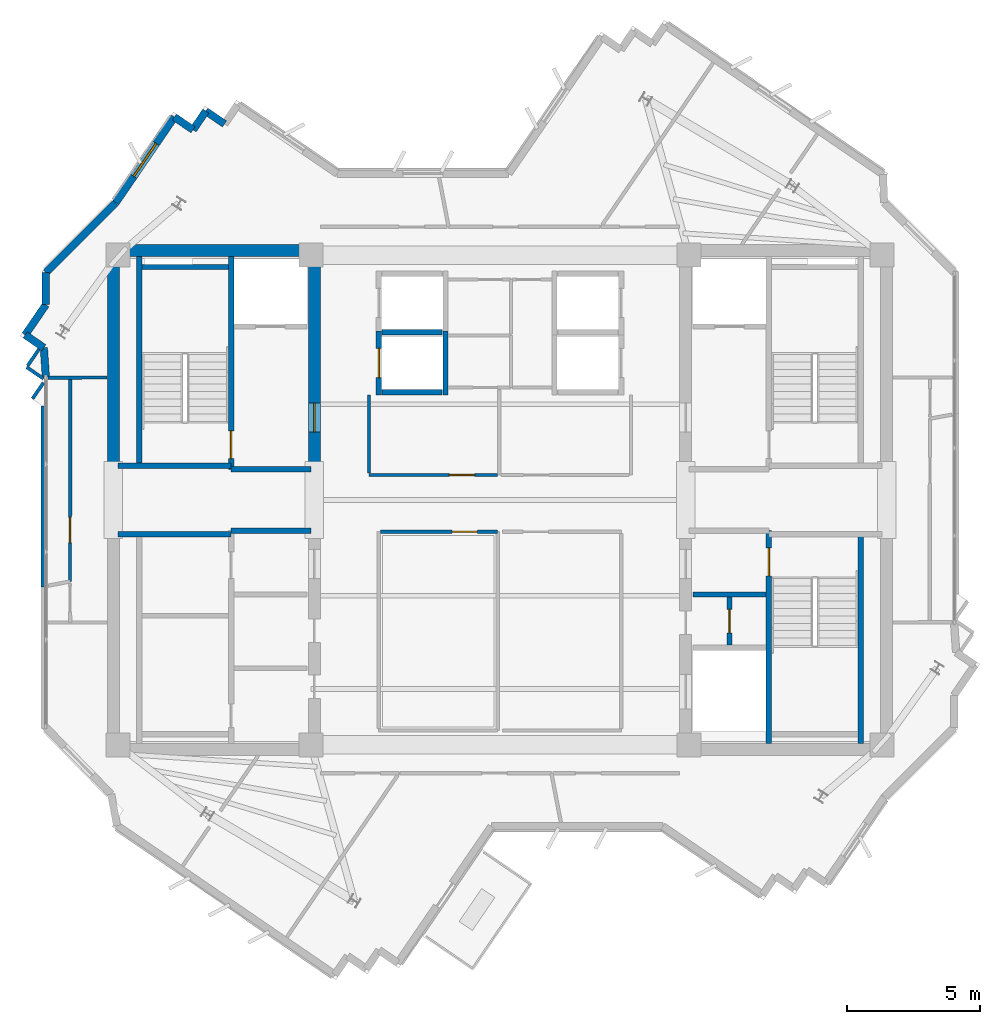
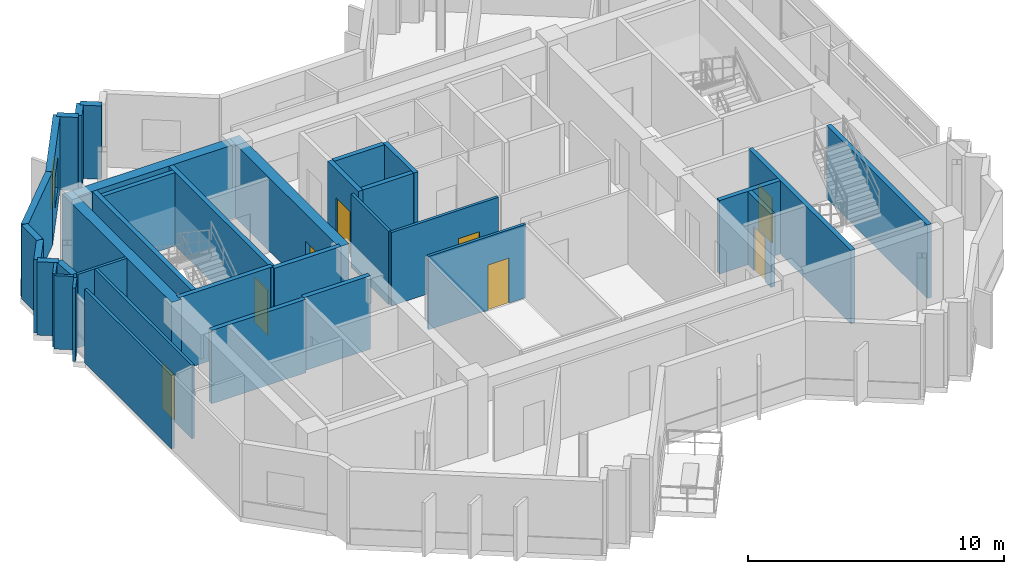
# One storey, part 6 of 11: 36 walls, 8 doors, 1 window, 9 openings.
"""IFC4 building model written with IfcOpenShell, lengths in metres."""

from ifc_helpers import new_model, si_unit, direction, frame, frame_2d, origin, place, context, subcontext, project, spatial, rectangle, extrude, source, transform, mapped, material, layer, layer_set, type_object, element, fill, save


model = new_model("IFC4")

# Units and contexts
model_context = context("Model", 3, precision=1e-05, world=origin(), true_north=direction((0.0, 1.0)))
body_context = subcontext(model_context, "Body", "Model", "MODEL_VIEW")
ifc_project = project(units=[si_unit("LENGTHUNIT", "METRE"), si_unit("AREAUNIT", "SQUARE_METRE"), si_unit("VOLUMEUNIT", "CUBIC_METRE"), si_unit("PLANEANGLEUNIT", "RADIAN"), si_unit("MASSUNIT", "GRAM", prefix="KILO")], contexts=[model_context])

# Site, building, storey
site_placement = place(None, origin())
site = spatial("IfcSite", under=ifc_project, at=site_placement, CompositionType="ELEMENT")
building_placement = place(site_placement, origin())
building = spatial("IfcBuilding", under=site, at=building_placement, Name="Zahravan Cultural Tower", CompositionType="ELEMENT")
storey_placement = place(building_placement, frame((0.0, 0.0, 334.800048828125)))
storey = spatial("IfcBuildingStorey", under=building, at=storey_placement, Name="L81", CompositionType="ELEMENT", Elevation=334.800048828125)

# Wall, opening, door
ifc_material_1 = material(Name="Concrete C50/60", Category="concrete")
ifc_layer_1 = layer(ifc_material_1, 0.449951171875)
ifc_layer_set_1 = layer_set([ifc_layer_1], Name="Concrete C50/60")
wall_type_1 = type_object("IfcWallType", Name="CW-SHEAR-450-C50", PredefinedType="SHEAR", material=ifc_layer_set_1)
wall_1_placement = place(storey_placement, frame((29.02490234375, 28.050048828125, 0.0), z_axis=(0.0, 0.0, 1.0), x_axis=(0.0, 1.0, 0.0)))
wall_1 = element("IfcWall", 1, at=wall_1_placement, inside=storey, type_object=wall_type_1, Name="L81 Core Shear Wall CW-W-EN-L81", PredefinedType="SHEAR", context=body_context, shape_type="SweptSolid", body=[
    extrude(rectangle(XDim=8.550048828125, YDim=0.449951171875, at=frame_2d((4.27490234375, 0.0))), origin(), (0.0, 0.0, 1.0), 3.5),
])
opening_1_placement = place(wall_1_placement, frame((1.5, 0.0, 0.0)))
opening_1 = element("IfcOpeningElement", 2, at=opening_1_placement, cuts=wall_1, Name="Opening D-L81-06", PredefinedType="OPENING", context=body_context, shape_type="SweptSolid", body=[
    extrude(rectangle(XDim=1.10009765625, YDim=2.199951171875, at=frame_2d((0.550048828125, 1.10009765625))), frame((0.0, 0.23486328125, 0.0), z_axis=(0.0, -1.0, 0.0), x_axis=(1.0, 0.0, 0.0)), (0.0, 0.0, 1.0), 0.469970703125),
])
ifc_material_2 = material(Name="Steel ASTM A572 Grade 50", Category="steel")
door_type_1 = type_object("IfcDoorType", Name="DR-LOBBY-1100", OperationType="NOTDEFINED", PredefinedType="DOOR", material=ifc_material_2)
shared_shape_1 = source(origin(), body_context, "Body", "SweptSolid", [
    extrude(rectangle(XDim=1.10009765625, YDim=2.199951171875, at=frame_2d((0.550048828125, 1.10009765625))), frame((0.0, 0.02490234375, 0.0), z_axis=(0.0, -1.0, 0.0), x_axis=(1.0, 0.0, 0.0)), (0.0, 0.0, 1.0), 0.050048828125),
])
door_1_placement = place(opening_1_placement, origin())
door_1 = element("IfcDoor", 3, at=door_1_placement, inside=storey, type_object=door_type_1, Name="L81 Door D-L81-06", OperationType="SINGLE_SWING_LEFT", OverallHeight=2.199951171875, OverallWidth=1.10009765625, PredefinedType="DOOR", context=body_context, shape_type="MappedRepresentation", body=[
    mapped(shared_shape_1, transform((0.0, 0.0, 0.0), x_axis=(1.0, 0.0, 0.0), y_axis=(0.0, 1.0, 0.0), z_axis=(0.0, 0.0, 1.0), scale=1.0)),
])
fill(opening_1, door_1)

# Wall, opening, window
ifc_material_3 = material(Name="Precast concrete C40/50", Category="concrete")
ifc_layer_2 = layer(ifc_material_3, 0.280029296875)
ifc_layer_set_2 = layer_set([ifc_layer_2], Name="Precast concrete C40/50")
wall_type_2 = type_object("IfcWallType", Name="EW-TC-280", PredefinedType="SOLIDWALL", material=ifc_layer_set_2)
wall_2_placement = place(storey_placement, frame((21.56298828125, 38.1650390625, 0.0), z_axis=(0.0, 0.0, 1.0), x_axis=(0.564961879511, 0.825117006672, 0.0)))
wall_2 = element("IfcWall", 4, at=wall_2_placement, inside=storey, type_object=wall_type_2, Name="L81 Exterior Masonry Frame Wall 07", PredefinedType="SOLIDWALL", context=body_context, shape_type="SweptSolid", body=[
    extrude(rectangle(XDim=3.90380859375, YDim=0.280029296875, at=frame_2d((1.951904296875, 0.0))), origin(), (0.0, 0.0, 1.0), 3.5),
])
opening_2_placement = place(wall_2_placement, frame((1.201904296875, 0.0, 0.85009765625)))
opening_2 = element("IfcOpeningElement", 5, at=opening_2_placement, cuts=wall_2, Name="Opening WN-03", PredefinedType="OPENING", context=body_context, shape_type="SweptSolid", body=[
    extrude(rectangle(XDim=1.5, YDim=1.5, at=frame_2d((0.75, 0.75))), frame((0.0, 0.14990234375, 0.0), z_axis=(0.0, -1.0, 0.0), x_axis=(1.0, 0.0, 0.0)), (0.0, 0.0, 1.0), 0.300048828125),
])
ifc_material_4 = material(Name="Low-E solar-control double glazing", Category="glass")
window_type = type_object("IfcWindowType", Name="WN-REC-1500X1500", PartitioningType="SINGLE_PANEL", PredefinedType="WINDOW", material=ifc_material_4)
shared_shape_2 = source(origin(), body_context, "Body", "SweptSolid", [
    extrude(rectangle(XDim=1.5, YDim=1.5, at=frame_2d((0.75, 0.75))), frame((0.0, 0.030029296875, 0.0), z_axis=(0.0, -1.0, 0.0), x_axis=(1.0, 0.0, 0.0)), (0.0, 0.0, 1.0), 0.06005859375),
])
window_placement = place(opening_2_placement, origin())
window = element("IfcWindow", 6, at=window_placement, inside=storey, type_object=window_type, Name="L81 Recessed Solar Window 02", OverallHeight=1.5, OverallWidth=1.5, PartitioningType="SINGLE_PANEL", PredefinedType="WINDOW", context=body_context, shape_type="MappedRepresentation", body=[
    mapped(shared_shape_2, transform((0.0, 0.0, 0.0), x_axis=(1.0, 0.0, 0.0), y_axis=(0.0, 1.0, 0.0), z_axis=(0.0, 0.0, 1.0), scale=1.0)),
])
fill(opening_2, window)

# Wall, opening, door
ifc_material_5 = material(Name="Gypsum plasterboard partition")
ifc_layer_3 = layer(ifc_material_5, 0.179931640625)
ifc_layer_set_3 = layer_set([ifc_layer_3], Name="Gypsum plasterboard partition")
wall_type_3 = type_object("IfcWallType", Name="W-COMP-180", PredefinedType="PARTITIONING", material=ifc_layer_set_3)
wall_3_placement = place(storey_placement, frame((44.6201171875, 21.550048828125, 0.0), z_axis=(0.0, 0.0, 1.0), x_axis=(0.0, 1.0, 0.0)))
wall_3 = element("IfcWall", 7, at=wall_3_placement, inside=storey, type_object=wall_type_3, Name="L81 Interior Wall 028", PredefinedType="PARTITIONING", context=body_context, shape_type="SweptSolid", body=[
    extrude(rectangle(XDim=1.800048828125, YDim=0.179931640625, at=frame_2d((0.89990234375, 0.0))), origin(), (0.0, 0.0, 1.0), 3.5),
])
opening_3_placement = place(wall_3_placement, frame((0.4599609375, 0.0, 0.0)))
opening_3 = element("IfcOpeningElement", 8, at=opening_3_placement, cuts=wall_3, Name="Opening D-L81-13", PredefinedType="OPENING", context=body_context, shape_type="SweptSolid", body=[
    extrude(rectangle(XDim=0.8798828125, YDim=2.10009765625, at=frame_2d((0.43994140625, 1.050048828125))), frame((0.0, 0.099853515625, 0.0), z_axis=(0.0, -1.0, 0.0), x_axis=(1.0, 0.0, 0.0)), (0.0, 0.0, 1.0), 0.199951171875),
])
door_type_2 = type_object("IfcDoorType", Name="DR-SVC-880", OperationType="NOTDEFINED", PredefinedType="DOOR", material=ifc_material_2)
shared_shape_3 = source(origin(), body_context, "Body", "SweptSolid", [
    extrude(rectangle(XDim=0.8798828125, YDim=2.10009765625, at=frame_2d((0.43994140625, 1.050048828125))), frame((0.0, 0.02490234375, 0.0), z_axis=(0.0, -1.0, 0.0), x_axis=(1.0, 0.0, 0.0)), (0.0, 0.0, 1.0), 0.050048828125),
])
door_2_placement = place(opening_3_placement, origin())
door_2 = element("IfcDoor", 9, at=door_2_placement, inside=storey, type_object=door_type_2, Name="L81 Door D-L81-13", OperationType="SINGLE_SWING_RIGHT", OverallHeight=2.10009765625, OverallWidth=0.8798828125, PredefinedType="DOOR", context=body_context, shape_type="MappedRepresentation", body=[
    mapped(shared_shape_3, transform((0.0, 0.0, 0.0), x_axis=(1.0, 0.0, 0.0), y_axis=(0.0, 1.0, 0.0), z_axis=(0.0, 0.0, 1.0), scale=1.0)),
])
fill(opening_3, door_2)

ifc_layer_4 = layer(ifc_material_5, 0.125)
ifc_layer_set_4 = layer_set([ifc_layer_4], Name="Gypsum plasterboard partition")
wall_type_4 = type_object("IfcWallType", Name="W-PART-125", PredefinedType="PARTITIONING", material=ifc_layer_set_4)
wall_4_placement = place(storey_placement, frame((35.902587890625, 27.93994140625, 0.0), z_axis=(0.0, 0.0, 1.0), x_axis=(-1.0, 0.0, 0.0)))
wall_4 = element("IfcWall", 10, at=wall_4_placement, inside=storey, type_object=wall_type_4, Name="L81 Interior Wall 051", PredefinedType="PARTITIONING", context=body_context, shape_type="SweptSolid", body=[
    extrude(rectangle(XDim=4.822509765625, YDim=0.125, at=frame_2d((2.4111328125, 0.0))), origin(), (0.0, 0.0, 1.0), 3.5),
])
opening_4_placement = place(wall_4_placement, frame((0.85205078125, 0.0, 0.0)))
opening_4 = element("IfcOpeningElement", 11, at=opening_4_placement, cuts=wall_4, Name="Opening D-L81-18", PredefinedType="OPENING", context=body_context, shape_type="SweptSolid", body=[
    extrude(rectangle(XDim=0.949951171875, YDim=2.14990234375, at=frame_2d((0.47509765625, 1.074951171875))), frame((0.0, 0.072509765625, 0.0), z_axis=(0.0, -1.0, 0.0), x_axis=(1.0, 0.0, 0.0)), (0.0, 0.0, 1.0), 0.14501953125),
])
ifc_material_6 = material(Name="Anodised bronze-aluminium mullion", Category="aluminium")
door_type_3 = type_object("IfcDoorType", Name="DR-ROOM-950", OperationType="NOTDEFINED", PredefinedType="DOOR", material=ifc_material_6)
shared_shape_4 = source(origin(), body_context, "Body", "SweptSolid", [
    extrude(rectangle(XDim=0.949951171875, YDim=2.14990234375, at=frame_2d((0.47509765625, 1.074951171875))), frame((0.0, 0.02490234375, 0.0), z_axis=(0.0, -1.0, 0.0), x_axis=(1.0, 0.0, 0.0)), (0.0, 0.0, 1.0), 0.050048828125),
])
door_3_placement = place(opening_4_placement, origin())
door_3 = element("IfcDoor", 12, at=door_3_placement, inside=storey, type_object=door_type_3, Name="L81 Door D-L81-18", OperationType="SINGLE_SWING_LEFT", OverallHeight=2.14990234375, OverallWidth=0.949951171875, PredefinedType="DOOR", context=body_context, shape_type="MappedRepresentation", body=[
    mapped(shared_shape_4, transform((0.0, 0.0, 0.0), x_axis=(1.0, 0.0, 0.0), y_axis=(0.0, 1.0, 0.0), z_axis=(0.0, 0.0, 1.0), scale=1.0)),
])
fill(opening_4, door_3)

wall_5_placement = place(storey_placement, frame((19.8525390625, 31.530029296875, 0.0), z_axis=(0.0, 0.0, 1.0), x_axis=(-0.000321574412, -0.999999948295, 0.0)))
wall_5 = element("IfcWall", 13, at=wall_5_placement, inside=storey, type_object=wall_type_4, Name="L81 Interior Wall 063", PredefinedType="PARTITIONING", context=body_context, shape_type="SweptSolid", body=[
    extrude(rectangle(XDim=7.592041015625, YDim=0.125, at=frame_2d((3.7958984375, 0.0))), origin(), (0.0, 0.0, 1.0), 3.5),
])
opening_5_placement = place(wall_5_placement, frame((5.180908203125, 0.0, 0.0)))
opening_5 = element("IfcOpeningElement", 14, at=opening_5_placement, cuts=wall_5, Name="Opening D-L81-24", PredefinedType="OPENING", context=body_context, shape_type="SweptSolid", body=[
    extrude(rectangle(XDim=0.949951171875, YDim=2.14990234375, at=frame_2d((0.47509765625, 1.074951171875))), frame((0.0, 0.072509765625, 0.0), z_axis=(0.0, -1.0, 0.0), x_axis=(1.0, 0.0, 0.0)), (0.0, 0.0, 1.0), 0.14501953125),
])
door_4_placement = place(opening_5_placement, origin())
door_4 = element("IfcDoor", 15, at=door_4_placement, inside=storey, type_object=door_type_3, Name="L81 Door D-L81-24", OperationType="SINGLE_SWING_LEFT", OverallHeight=2.14990234375, OverallWidth=0.949951171875, PredefinedType="DOOR", context=body_context, shape_type="MappedRepresentation", body=[
    mapped(shared_shape_4, transform((0.0, 0.0, 0.0), x_axis=(1.0, 0.0, 0.0), y_axis=(0.0, 1.0, 0.0), z_axis=(0.0, 0.0, 1.0), scale=1.0)),
])
fill(opening_5, door_4)

wall_6_placement = place(storey_placement, frame((31.507568359375, 25.81005859375, 0.0), z_axis=(0.0, 0.0, 1.0), x_axis=(1.0, 0.0, 0.0)))
wall_6 = element("IfcWall", 16, at=wall_6_placement, inside=storey, type_object=wall_type_4, Name="L81 Interior Wall 085", PredefinedType="PARTITIONING", context=body_context, shape_type="SweptSolid", body=[
    extrude(rectangle(XDim=4.40234375, YDim=0.125, at=frame_2d((2.201171875, 0.0))), origin(), (0.0, 0.0, 1.0), 3.5),
])
opening_6_placement = place(wall_6_placement, frame((2.69287109375, 0.0, 0.0)))
opening_6 = element("IfcOpeningElement", 17, at=opening_6_placement, cuts=wall_6, Name="Opening D-L81-14", PredefinedType="OPENING", context=body_context, shape_type="SweptSolid", body=[
    extrude(rectangle(XDim=0.949951171875, YDim=2.14990234375, at=frame_2d((0.47509765625, 1.074951171875))), frame((0.0, 0.072509765625, 0.0), z_axis=(0.0, -1.0, 0.0), x_axis=(1.0, 0.0, 0.0)), (0.0, 0.0, 1.0), 0.14501953125),
])
door_5_placement = place(opening_6_placement, origin())
door_5 = element("IfcDoor", 18, at=door_5_placement, inside=storey, type_object=door_type_3, Name="L81 Door D-L81-14", OperationType="SINGLE_SWING_LEFT", OverallHeight=2.14990234375, OverallWidth=0.949951171875, PredefinedType="DOOR", context=body_context, shape_type="MappedRepresentation", body=[
    mapped(shared_shape_4, transform((0.0, 0.0, 0.0), x_axis=(1.0, 0.0, 0.0), y_axis=(0.0, 1.0, 0.0), z_axis=(0.0, 0.0, 1.0), scale=1.0)),
])
fill(opening_6, door_5)

ifc_material_7 = material(Name="Concrete C45/55", Category="concrete")
ifc_layer_5 = layer(ifc_material_7, 0.199951171875)
ifc_layer_set_5 = layer_set([ifc_layer_5], Name="Concrete C45/55")
wall_type_5 = type_object("IfcWallType", Name="W-SHAFT-200", PredefinedType="SOLIDWALL", material=ifc_layer_set_5)
wall_7_placement = place(storey_placement, frame((25.89990234375, 28.14990234375, 0.0), z_axis=(0.0, 0.0, 1.0), x_axis=(0.0, 1.0, 0.0)))
wall_7 = element("IfcWall", 19, at=wall_7_placement, inside=storey, type_object=wall_type_5, Name="L81 Interior Wall 006", PredefinedType="SOLIDWALL", context=body_context, shape_type="SweptSolid", body=[
    extrude(rectangle(XDim=8.0, YDim=0.199951171875, at=frame_2d((4.0, 0.0))), origin(), (0.0, 0.0, 1.0), 3.5),
])
opening_7_placement = place(wall_7_placement, frame((0.39990234375, 0.0, 0.0)))
opening_7 = element("IfcOpeningElement", 20, at=opening_7_placement, cuts=wall_7, Name="Opening D-L81-01", PredefinedType="OPENING", context=body_context, shape_type="SweptSolid", body=[
    extrude(rectangle(XDim=1.050048828125, YDim=2.14990234375, at=frame_2d((0.52490234375, 1.074951171875))), frame((0.0, 0.10986328125, 0.0), z_axis=(0.0, -1.0, 0.0), x_axis=(1.0, 0.0, 0.0)), (0.0, 0.0, 1.0), 0.219970703125),
])
door_type_4 = type_object("IfcDoorType", Name="DR-STAIR-1050", OperationType="NOTDEFINED", PredefinedType="DOOR", material=ifc_material_2)
shared_shape_5 = source(origin(), body_context, "Body", "SweptSolid", [
    extrude(rectangle(XDim=1.050048828125, YDim=2.14990234375, at=frame_2d((0.52490234375, 1.074951171875))), frame((0.0, 0.02490234375, 0.0), z_axis=(0.0, -1.0, 0.0), x_axis=(1.0, 0.0, 0.0)), (0.0, 0.0, 1.0), 0.050048828125),
])
door_6_placement = place(opening_7_placement, origin())
door_6 = element("IfcDoor", 21, at=door_6_placement, inside=storey, type_object=door_type_4, Name="L81 Door D-L81-01", OperationType="SINGLE_SWING_RIGHT", OverallHeight=2.14990234375, OverallWidth=1.050048828125, PredefinedType="DOOR", context=body_context, shape_type="MappedRepresentation", body=[
    mapped(shared_shape_5, transform((0.0, 0.0, 0.0), x_axis=(1.0, 0.0, 0.0), y_axis=(0.0, 1.0, 0.0), z_axis=(0.0, 0.0, 1.0), scale=1.0)),
])
fill(opening_7, door_6)

wall_8_placement = place(storey_placement, frame((46.10009765625, 17.85009765625, 0.0), z_axis=(0.0, 0.0, 1.0), x_axis=(0.0, 1.0, 0.0)))
wall_8 = element("IfcWall", 22, at=wall_8_placement, inside=storey, type_object=wall_type_5, Name="L81 Interior Wall 007", PredefinedType="SOLIDWALL", context=body_context, shape_type="SweptSolid", body=[
    extrude(rectangle(XDim=8.0, YDim=0.199951171875, at=frame_2d((4.0, 0.0))), origin(), (0.0, 0.0, 1.0), 3.5),
])
opening_8_placement = place(wall_8_placement, frame((6.300048828125, 0.0, 0.0)))
opening_8 = element("IfcOpeningElement", 23, at=opening_8_placement, cuts=wall_8, Name="Opening D-L81-03", PredefinedType="OPENING", context=body_context, shape_type="SweptSolid", body=[
    extrude(rectangle(XDim=1.050048828125, YDim=2.14990234375, at=frame_2d((0.52490234375, 1.074951171875))), frame((0.0, 0.10986328125, 0.0), z_axis=(0.0, -1.0, 0.0), x_axis=(1.0, 0.0, 0.0)), (0.0, 0.0, 1.0), 0.219970703125),
])
door_7_placement = place(opening_8_placement, origin())
door_7 = element("IfcDoor", 24, at=door_7_placement, inside=storey, type_object=door_type_4, Name="L81 Door D-L81-03", OperationType="SINGLE_SWING_RIGHT", OverallHeight=2.14990234375, OverallWidth=1.050048828125, PredefinedType="DOOR", context=body_context, shape_type="MappedRepresentation", body=[
    mapped(shared_shape_5, transform((0.0, 0.0, 0.0), x_axis=(1.0, 0.0, 0.0), y_axis=(0.0, 1.0, 0.0), z_axis=(0.0, 0.0, 1.0), scale=1.0)),
])
fill(opening_8, door_7)

wall_9_placement = place(storey_placement, frame((31.449951171875, 30.949951171875, 0.0), z_axis=(0.0, 0.0, 1.0), x_axis=(0.0, 1.0, 0.0)))
wall_9 = element("IfcWall", 25, at=wall_9_placement, inside=storey, type_object=wall_type_5, Name="L81 Interior Wall 033", PredefinedType="SOLIDWALL", context=body_context, shape_type="SweptSolid", body=[
    extrude(rectangle(XDim=2.400146484375, YDim=0.199951171875, at=frame_2d((1.2001953125, 0.0))), origin(), (0.0, 0.0, 1.0), 3.5),
])
opening_9_placement = place(wall_9_placement, frame((0.64990234375, 0.0, 0.0)))
opening_9 = element("IfcOpeningElement", 26, at=opening_9_placement, cuts=wall_9, Name="Opening LD-L81-05", PredefinedType="OPENING", context=body_context, shape_type="SweptSolid", body=[
    extrude(rectangle(XDim=1.10009765625, YDim=2.14990234375, at=frame_2d((0.550048828125, 1.074951171875))), frame((0.0, 0.10986328125, 0.0), z_axis=(0.0, -1.0, 0.0), x_axis=(1.0, 0.0, 0.0)), (0.0, 0.0, 1.0), 0.219970703125),
])
door_type_5 = type_object("IfcDoorType", Name="DR-LIFT-1100", OperationType="DOUBLE_DOOR_SLIDING", PredefinedType="DOOR", material=ifc_material_2)
shared_shape_6 = source(origin(), body_context, "Body", "SweptSolid", [
    extrude(rectangle(XDim=1.10009765625, YDim=2.14990234375, at=frame_2d((0.550048828125, 1.074951171875))), frame((0.0, 0.02490234375, 0.0), z_axis=(0.0, -1.0, 0.0), x_axis=(1.0, 0.0, 0.0)), (0.0, 0.0, 1.0), 0.050048828125),
])
door_8_placement = place(opening_9_placement, origin())
door_8 = element("IfcDoor", 27, at=door_8_placement, inside=storey, type_object=door_type_5, Name="L81 Door LD-L81-05", OperationType="DOUBLE_DOOR_SLIDING", OverallHeight=2.14990234375, OverallWidth=1.10009765625, PredefinedType="DOOR", context=body_context, shape_type="MappedRepresentation", body=[
    mapped(shared_shape_6, transform((0.0, 0.0, 0.0), x_axis=(1.0, 0.0, 0.0), y_axis=(0.0, 1.0, 0.0), z_axis=(0.0, 0.0, 1.0), scale=1.0)),
])
fill(opening_9, door_8)

# Walls
shared_shape_7 = source(origin(), body_context, "Body", "SweptSolid", [
    extrude(rectangle(XDim=8.550048828125, YDim=0.449951171875, at=frame_2d((4.27490234375, 0.0))), origin(), (0.0, 0.0, 1.0), 3.5),
])
wall_10_placement = place(storey_placement, frame((21.47509765625, 28.050048828125, 0.0), z_axis=(0.0, 0.0, 1.0), x_axis=(0.0, 1.0, 0.0)))
element("IfcWall", 28, at=wall_10_placement, inside=storey, type_object=wall_type_1, Name="L81 Core Shear Wall CW-W-WN-L81", PredefinedType="SHEAR", context=body_context, shape_type="MappedRepresentation", body=[
    mapped(shared_shape_7, transform((0.0, 0.0, 0.0), x_axis=(1.0, 0.0, 0.0), y_axis=(0.0, 1.0, 0.0), z_axis=(0.0, 0.0, 1.0), scale=1.0)),
])
shared_shape_8 = source(origin(), body_context, "Body", "SweptSolid", [
    extrude(rectangle(XDim=7.10009765625, YDim=0.449951171875, at=frame_2d((3.550048828125, 0.0))), origin(), (0.0, 0.0, 1.0), 3.5),
])
wall_11_placement = place(storey_placement, frame((21.699951171875, 36.375, 0.0), z_axis=(0.0, 0.0, 1.0), x_axis=(1.0, 0.0, 0.0)))
element("IfcWall", 29, at=wall_11_placement, inside=storey, type_object=wall_type_1, Name="L81 Core Shear Wall CW-W-N-L81", PredefinedType="SHEAR", context=body_context, shape_type="MappedRepresentation", body=[
    mapped(shared_shape_8, transform((0.0, 0.0, 0.0), x_axis=(1.0, 0.0, 0.0), y_axis=(0.0, 1.0, 0.0), z_axis=(0.0, 0.0, 1.0), scale=1.0)),
])
shared_shape_9 = source(origin(), body_context, "Body", "SweptSolid", [
    extrude(rectangle(XDim=0.85009765625, YDim=0.280029296875, at=frame_2d((0.425048828125, 0.0))), origin(), (0.0, 0.0, 1.0), 3.5),
])
for number, where, z_axis, x_axis, name in (
    (30, (23.7685546875, 41.38623046875, 0.0), (0.0, 0.0, 1.0), (0.825138153006, -0.564930994418, 0.0), "L81 Exterior Masonry Frame Wall 08"),
    (31, (24.469970703125, 40.906005859375, 0.0), (0.0, 0.0, 1.0), (0.564930994418, 0.825138153006, 0.0), "L81 Exterior Masonry Frame Wall 09"),
    (32, (24.9501953125, 41.607421875, 0.0), (0.0, 0.0, 1.0), (0.825138153006, -0.564930994418, 0.0), "L81 Exterior Masonry Frame Wall 10"),
):
    element("IfcWall", number, at=place(storey_placement, frame(where, z_axis=z_axis, x_axis=x_axis)), inside=storey, type_object=wall_type_2, Name=name, PredefinedType="SOLIDWALL", context=body_context, shape_type="MappedRepresentation", body=[
        mapped(shared_shape_9, transform((0.0, 0.0, 0.0), x_axis=(1.0, 0.0, 0.0), y_axis=(0.0, 1.0, 0.0), z_axis=(0.0, 0.0, 1.0), scale=1.0)),
    ])
shared_shape_10 = source(origin(), body_context, "Body", "SweptSolid", [
    extrude(rectangle(XDim=0.849853515625, YDim=0.280029296875, at=frame_2d((0.4248046875, 0.0))), origin(), (0.0, 0.0, 1.0), 3.5),
])
wall_12_placement = place(storey_placement, frame((18.865478515625, 32.720947265625, 0.0), z_axis=(0.0, 0.0, 1.0), x_axis=(-0.825046459993, 0.565064897913, 0.0)))
element("IfcWall", 33, at=wall_12_placement, inside=storey, type_object=wall_type_2, Name="L81 Exterior Masonry Frame Wall 03", PredefinedType="SOLIDWALL", context=body_context, shape_type="MappedRepresentation", body=[
    mapped(shared_shape_10, transform((0.0, 0.0, 0.0), x_axis=(1.0, 0.0, 0.0), y_axis=(0.0, 1.0, 0.0), z_axis=(0.0, 0.0, 1.0), scale=1.0)),
])
shared_shape_11 = source(origin(), body_context, "Body", "SweptSolid", [
    extrude(rectangle(XDim=1.08349609375, YDim=0.280029296875, at=frame_2d((0.541748046875, 0.0))), origin(), (0.0, 0.0, 1.0), 3.5),
])
wall_13_placement = place(storey_placement, frame((18.93994140625, 31.639892578125, 0.0), z_axis=(0.0, 0.0, 1.0), x_axis=(-0.068717036618, 0.997636190642, 0.0)))
element("IfcWall", 34, at=wall_13_placement, inside=storey, type_object=wall_type_2, Name="L81 Exterior Masonry Frame Wall 02", PredefinedType="SOLIDWALL", context=body_context, shape_type="MappedRepresentation", body=[
    mapped(shared_shape_11, transform((0.0, 0.0, 0.0), x_axis=(1.0, 0.0, 0.0), y_axis=(0.0, 1.0, 0.0), z_axis=(0.0, 0.0, 1.0), scale=1.0)),
])
shared_shape_12 = source(origin(), body_context, "Body", "SweptSolid", [
    extrude(rectangle(XDim=1.373046875, YDim=0.280029296875, at=frame_2d((0.6865234375, 0.0))), origin(), (0.0, 0.0, 1.0), 3.5),
])
wall_14_placement = place(storey_placement, frame((18.164306640625, 33.201171875, 0.0), z_axis=(0.0, 0.0, 1.0), x_axis=(0.564875120833, 0.825176404088, 0.0)))
element("IfcWall", 35, at=wall_14_placement, inside=storey, type_object=wall_type_2, Name="L81 Exterior Masonry Frame Wall 04", PredefinedType="SOLIDWALL", context=body_context, shape_type="MappedRepresentation", body=[
    mapped(shared_shape_12, transform((0.0, 0.0, 0.0), x_axis=(1.0, 0.0, 0.0), y_axis=(0.0, 1.0, 0.0), z_axis=(0.0, 0.0, 1.0), scale=1.0)),
])
shared_shape_13 = source(origin(), body_context, "Body", "SweptSolid", [
    extrude(rectangle(XDim=1.207763671875, YDim=0.280029296875, at=frame_2d((0.60400390625, 0.0))), origin(), (0.0, 0.0, 1.0), 3.5),
])
wall_15_placement = place(storey_placement, frame((18.93994140625, 34.334228515625, 0.0), z_axis=(0.0, 0.0, 1.0), x_axis=(0.0, 1.0, 0.0)))
element("IfcWall", 36, at=wall_15_placement, inside=storey, type_object=wall_type_2, Name="L81 Exterior Masonry Frame Wall 05", PredefinedType="SOLIDWALL", context=body_context, shape_type="MappedRepresentation", body=[
    mapped(shared_shape_13, transform((0.0, 0.0, 0.0), x_axis=(1.0, 0.0, 0.0), y_axis=(0.0, 1.0, 0.0), z_axis=(0.0, 0.0, 1.0), scale=1.0)),
])
shared_shape_14 = source(origin(), body_context, "Body", "SweptSolid", [
    extrude(rectangle(XDim=3.70947265625, YDim=0.280029296875, at=frame_2d((1.854736328125, 0.0))), origin(), (0.0, 0.0, 1.0), 3.5),
])
wall_16_placement = place(storey_placement, frame((18.93994140625, 35.5419921875, 0.0), z_axis=(0.0, 0.0, 1.0), x_axis=(0.707106781187, 0.707106781187, 0.0)))
element("IfcWall", 37, at=wall_16_placement, inside=storey, type_object=wall_type_2, Name="L81 Exterior Masonry Frame Wall 06", PredefinedType="SOLIDWALL", context=body_context, shape_type="MappedRepresentation", body=[
    mapped(shared_shape_14, transform((0.0, 0.0, 0.0), x_axis=(1.0, 0.0, 0.0), y_axis=(0.0, 1.0, 0.0), z_axis=(0.0, 0.0, 1.0), scale=1.0)),
])
shared_shape_15 = source(origin(), body_context, "Body", "SweptSolid", [
    extrude(rectangle(XDim=7.869873046875, YDim=0.199951171875, at=frame_2d((3.93505859375, 0.0))), origin(), (0.0, 0.0, 1.0), 3.5),
])
for number, where, z_axis, x_axis, name in (
    (38, (22.449951171875, 28.280029296875, 0.0), (0.0, 0.0, 1.0), (0.0, 1.0, 0.0), "L81 Interior Wall 002"),
    (39, (49.550048828125, 17.85009765625, 0.0), (0.0, 0.0, 1.0), (0.0, 1.0, 0.0), "L81 Interior Wall 003"),
):
    element("IfcWall", number, at=place(storey_placement, frame(where, z_axis=z_axis, x_axis=x_axis)), inside=storey, type_object=wall_type_5, Name=name, PredefinedType="SOLIDWALL", context=body_context, shape_type="MappedRepresentation", body=[
        mapped(shared_shape_15, transform((0.0, 0.0, 0.0), x_axis=(1.0, 0.0, 0.0), y_axis=(0.0, 1.0, 0.0), z_axis=(0.0, 0.0, 1.0), scale=1.0)),
    ])
shared_shape_16 = source(origin(), body_context, "Body", "SweptSolid", [
    extrude(rectangle(XDim=4.25, YDim=0.199951171875, at=frame_2d((2.125, 0.0))), origin(), (0.0, 0.0, 1.0), 3.5),
])
for number, where, z_axis, x_axis, name in (
    (40, (21.64990234375, 25.715087890625, 0.0), (0.0, 0.0, 1.0), (1.0, 0.0, 0.0), "L81 Interior Wall 009"),
    (41, (21.64990234375, 28.284912109375, 0.0), (0.0, 0.0, 1.0), (1.0, 0.0, 0.0), "L81 Interior Wall 011"),
):
    element("IfcWall", number, at=place(storey_placement, frame(where, z_axis=z_axis, x_axis=x_axis)), inside=storey, type_object=wall_type_5, Name=name, PredefinedType="SOLIDWALL", context=body_context, shape_type="MappedRepresentation", body=[
        mapped(shared_shape_16, transform((0.0, 0.0, 0.0), x_axis=(1.0, 0.0, 0.0), y_axis=(0.0, 1.0, 0.0), z_axis=(0.0, 0.0, 1.0), scale=1.0)),
    ])
shared_shape_17 = source(origin(), body_context, "Body", "SweptSolid", [
    extrude(rectangle(XDim=3.0, YDim=0.199951171875, at=frame_2d((1.5, 0.0))), origin(), (0.0, 0.0, 1.0), 3.5),
])
for number, where, z_axis, x_axis, name in (
    (42, (25.89990234375, 25.85009765625, 0.0), (0.0, 0.0, 1.0), (1.0, 0.0, 0.0), "L81 Interior Wall 010"),
    (43, (25.89990234375, 28.14990234375, 0.0), (0.0, 0.0, 1.0), (1.0, 0.0, 0.0), "L81 Interior Wall 012"),
):
    element("IfcWall", number, at=place(storey_placement, frame(where, z_axis=z_axis, x_axis=x_axis)), inside=storey, type_object=wall_type_5, Name=name, PredefinedType="SOLIDWALL", context=body_context, shape_type="MappedRepresentation", body=[
        mapped(shared_shape_17, transform((0.0, 0.0, 0.0), x_axis=(1.0, 0.0, 0.0), y_axis=(0.0, 1.0, 0.0), z_axis=(0.0, 0.0, 1.0), scale=1.0)),
    ])
shared_shape_18 = source(origin(), body_context, "Body", "SweptSolid", [
    extrude(rectangle(XDim=3.25, YDim=0.199951171875, at=frame_2d((1.625, 0.0))), origin(), (0.0, 0.0, 1.0), 3.5),
])
wall_17_placement = place(storey_placement, frame((22.550048828125, 35.75, 0.0), z_axis=(0.0, 0.0, 1.0), x_axis=(1.0, 0.0, 0.0)))
element("IfcWall", 44, at=wall_17_placement, inside=storey, type_object=wall_type_5, Name="L81 Interior Wall 017", PredefinedType="SOLIDWALL", context=body_context, shape_type="MappedRepresentation", body=[
    mapped(shared_shape_18, transform((0.0, 0.0, 0.0), x_axis=(1.0, 0.0, 0.0), y_axis=(0.0, 1.0, 0.0), z_axis=(0.0, 0.0, 1.0), scale=1.0)),
])
shared_shape_19 = source(origin(), body_context, "Body", "SweptSolid", [
    extrude(rectangle(XDim=2.75, YDim=0.199951171875, at=frame_2d((1.375, 0.0))), origin(), (0.0, 0.0, 1.0), 3.5),
])
wall_18_placement = place(storey_placement, frame((43.25, 23.449951171875, 0.0), z_axis=(0.0, 0.0, 1.0), x_axis=(1.0, 0.0, 0.0)))
element("IfcWall", 45, at=wall_18_placement, inside=storey, type_object=wall_type_5, Name="L81 Interior Wall 025", PredefinedType="SOLIDWALL", context=body_context, shape_type="MappedRepresentation", body=[
    mapped(shared_shape_19, transform((0.0, 0.0, 0.0), x_axis=(1.0, 0.0, 0.0), y_axis=(0.0, 1.0, 0.0), z_axis=(0.0, 0.0, 1.0), scale=1.0)),
])
shared_shape_20 = source(origin(), body_context, "Body", "SweptSolid", [
    extrude(rectangle(XDim=2.400146484375, YDim=0.199951171875, at=frame_2d((1.2001953125, 0.0))), origin(), (0.0, 0.0, 1.0), 3.5),
])
wall_19_placement = place(storey_placement, frame((33.949951171875, 30.949951171875, 0.0), z_axis=(0.0, 0.0, 1.0), x_axis=(0.0, 1.0, 0.0)))
element("IfcWall", 46, at=wall_19_placement, inside=storey, type_object=wall_type_5, Name="L81 Interior Wall 034", PredefinedType="SOLIDWALL", context=body_context, shape_type="MappedRepresentation", body=[
    mapped(shared_shape_20, transform((0.0, 0.0, 0.0), x_axis=(1.0, 0.0, 0.0), y_axis=(0.0, 1.0, 0.0), z_axis=(0.0, 0.0, 1.0), scale=1.0)),
])
shared_shape_21 = source(origin(), body_context, "Body", "SweptSolid", [
    extrude(rectangle(XDim=2.260009765625, YDim=0.199951171875, at=frame_2d((1.1298828125, 0.0))), origin(), (0.0, 0.0, 1.0), 3.5),
])
for number, where, z_axis, x_axis, name in (
    (47, (31.570068359375, 33.300048828125, 0.0), (0.0, 0.0, 1.0), (1.0, 0.0, 0.0), "L81 Interior Wall 031"),
    (48, (31.570068359375, 31.050048828125, 0.0), (0.0, 0.0, 1.0), (1.0, 0.0, 0.0), "L81 Interior Wall 035"),
):
    element("IfcWall", number, at=place(storey_placement, frame(where, z_axis=z_axis, x_axis=x_axis)), inside=storey, type_object=wall_type_5, Name=name, PredefinedType="SOLIDWALL", context=body_context, shape_type="MappedRepresentation", body=[
        mapped(shared_shape_21, transform((0.0, 0.0, 0.0), x_axis=(1.0, 0.0, 0.0), y_axis=(0.0, 1.0, 0.0), z_axis=(0.0, 0.0, 1.0), scale=1.0)),
    ])
shared_shape_22 = source(origin(), body_context, "Body", "SweptSolid", [
    extrude(rectangle(XDim=2.9423828125, YDim=0.125, at=frame_2d((1.47119140625, 0.0))), origin(), (0.0, 0.0, 1.0), 3.5),
])
wall_20_placement = place(storey_placement, frame((31.080078125, 28.007568359375, 0.0), z_axis=(0.0, 0.0, 1.0), x_axis=(0.0, 1.0, 0.0)))
element("IfcWall", 49, at=wall_20_placement, inside=storey, type_object=wall_type_4, Name="L81 Interior Wall 052", PredefinedType="PARTITIONING", context=body_context, shape_type="MappedRepresentation", body=[
    mapped(shared_shape_22, transform((0.0, 0.0, 0.0), x_axis=(1.0, 0.0, 0.0), y_axis=(0.0, 1.0, 0.0), z_axis=(0.0, 0.0, 1.0), scale=1.0)),
])
shared_shape_23 = source(origin(), body_context, "Body", "SweptSolid", [
    extrude(rectangle(XDim=2.215087890625, YDim=0.125, at=frame_2d((1.107421875, 0.0))), origin(), (0.0, 0.0, 1.0), 3.5),
])
wall_21_placement = place(storey_placement, frame((21.2451171875, 31.599853515625, 0.0), z_axis=(0.0, 0.0, 1.0), x_axis=(-0.999998633374, -0.001653254657, 0.0)))
element("IfcWall", 50, at=wall_21_placement, inside=storey, type_object=wall_type_4, Name="L81 Interior Wall 062", PredefinedType="PARTITIONING", context=body_context, shape_type="MappedRepresentation", body=[
    mapped(shared_shape_23, transform((0.0, 0.0, 0.0), x_axis=(1.0, 0.0, 0.0), y_axis=(0.0, 1.0, 0.0), z_axis=(0.0, 0.0, 1.0), scale=1.0)),
])
shared_shape_24 = source(origin(), body_context, "Body", "SweptSolid", [
    extrude(rectangle(XDim=0.75732421875, YDim=0.125, at=frame_2d((0.378662109375, 0.0))), origin(), (0.0, 0.0, 1.0), 3.5),
])
wall_22_placement = place(storey_placement, frame((18.256591796875, 32.0439453125, 0.0), z_axis=(0.0, 0.0, 1.0), x_axis=(0.564406554972, 0.825496965896, 0.0)))
element("IfcWall", 51, at=wall_22_placement, inside=storey, type_object=wall_type_4, Name="L81 Interior Wall 068", PredefinedType="PARTITIONING", context=body_context, shape_type="MappedRepresentation", body=[
    mapped(shared_shape_24, transform((0.0, 0.0, 0.0), x_axis=(1.0, 0.0, 0.0), y_axis=(0.0, 1.0, 0.0), z_axis=(0.0, 0.0, 1.0), scale=1.0)),
])
shared_shape_25 = source(origin(), body_context, "Body", "SweptSolid", [
    extrude(rectangle(XDim=6.794677734375, YDim=0.125, at=frame_2d((3.3974609375, 0.0))), origin(), (0.0, 0.0, 1.0), 3.5),
])
wall_23_placement = place(storey_placement, frame((18.820068359375, 23.740234375, 0.0), z_axis=(0.0, 0.0, 1.0), x_axis=(-7.1862312e-05, 0.999999997418, 0.0)))
element("IfcWall", 52, at=wall_23_placement, inside=storey, type_object=wall_type_4, Name="L81 Interior Wall 065", PredefinedType="PARTITIONING", context=body_context, shape_type="MappedRepresentation", body=[
    mapped(shared_shape_25, transform((0.0, 0.0, 0.0), x_axis=(1.0, 0.0, 0.0), y_axis=(0.0, 1.0, 0.0), z_axis=(0.0, 0.0, 1.0), scale=1.0)),
])
shared_shape_26 = source(origin(), body_context, "Body", "SweptSolid", [
    extrude(rectangle(XDim=0.724853515625, YDim=0.125, at=frame_2d((0.3623046875, 0.0))), origin(), (0.0, 0.0, 1.0), 3.5),
])
wall_24_placement = place(storey_placement, frame((18.439697265625, 30.806884765625, 0.0), z_axis=(0.0, 0.0, 1.0), x_axis=(0.563221841823, 0.826305728464, 0.0)))
element("IfcWall", 53, at=wall_24_placement, inside=storey, type_object=wall_type_4, Name="L81 Interior Wall 066", PredefinedType="PARTITIONING", context=body_context, shape_type="MappedRepresentation", body=[
    mapped(shared_shape_26, transform((0.0, 0.0, 0.0), x_axis=(1.0, 0.0, 0.0), y_axis=(0.0, 1.0, 0.0), z_axis=(0.0, 0.0, 1.0), scale=1.0)),
])
shared_shape_27 = source(origin(), body_context, "Body", "SweptSolid", [
    extrude(rectangle(XDim=0.76416015625, YDim=0.125, at=frame_2d((0.382080078125, 0.0))), origin(), (0.0, 0.0, 1.0), 3.5),
])
wall_25_placement = place(storey_placement, frame((18.84912109375, 31.556640625, 0.0), z_axis=(0.0, 0.0, 1.0), x_axis=(-0.82520537731, 0.564832794071, 0.0)))
element("IfcWall", 54, at=wall_25_placement, inside=storey, type_object=wall_type_4, Name="L81 Interior Wall 067", PredefinedType="PARTITIONING", context=body_context, shape_type="MappedRepresentation", body=[
    mapped(shared_shape_27, transform((0.0, 0.0, 0.0), x_axis=(1.0, 0.0, 0.0), y_axis=(0.0, 1.0, 0.0), z_axis=(0.0, 0.0, 1.0), scale=1.0)),
])

save(model, "model.ifc")
